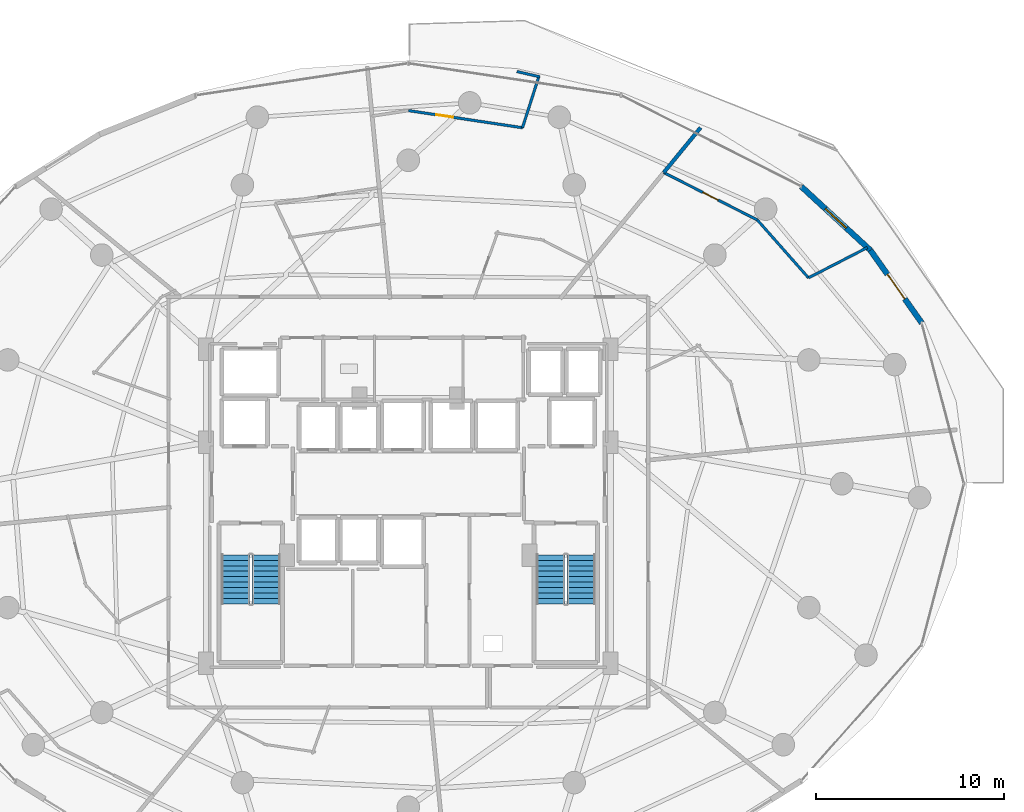
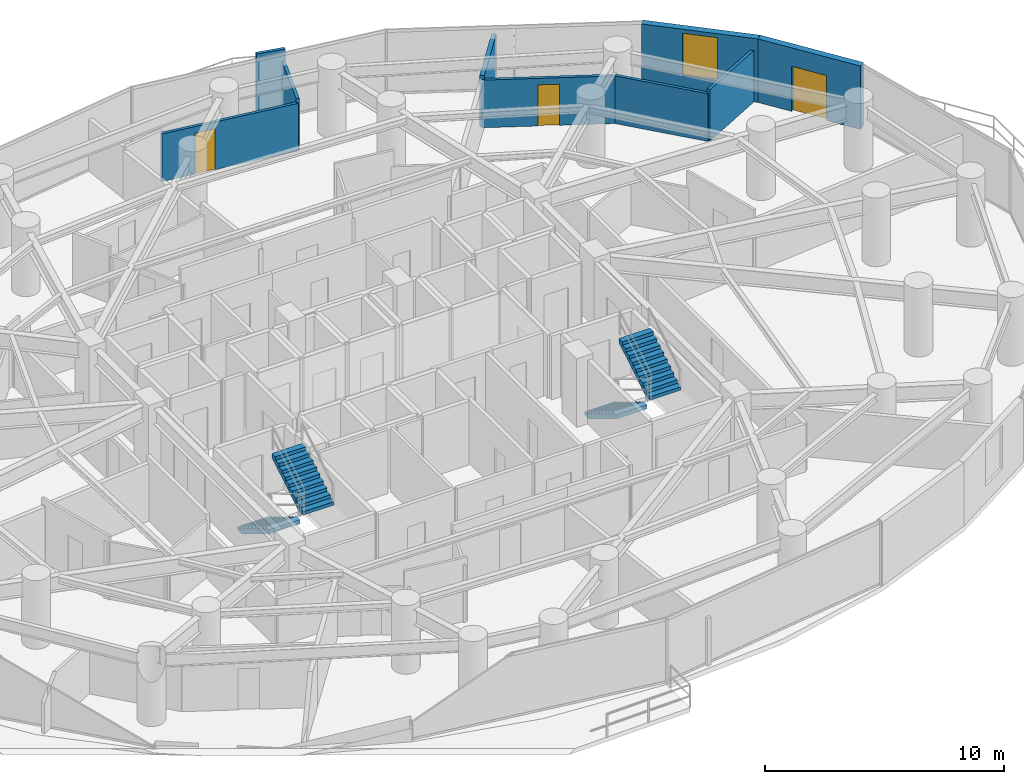
# One storey, part 27 of 30: 9 walls, 4 stair flights, 3 doors, 1 window, 4 openings, 2 elements without a shape of their own.
"""IFC4 building model written with IfcOpenShell, lengths in metres."""

from ifc_helpers import new_model, si_unit, direction, frame, frame_2d, origin, place, context, subcontext, project, spatial, polyline, rectangle, outline, extrude, material, layer, layer_set, type_object, element, fill, aggregate, save


model = new_model("IFC4")

# Units and contexts
model_context = context("Model", 3, precision=1e-05, world=origin(), true_north=direction((0.0, 1.0)))
body_context = subcontext(model_context, "Body", "Model", "MODEL_VIEW")
ifc_project = project(units=[si_unit("LENGTHUNIT", "METRE"), si_unit("AREAUNIT", "SQUARE_METRE"), si_unit("VOLUMEUNIT", "CUBIC_METRE"), si_unit("PLANEANGLEUNIT", "RADIAN"), si_unit("MASSUNIT", "GRAM", prefix="KILO")], contexts=[model_context])

# Site, building, storey
site_placement = place(None, origin())
site = spatial("IfcSite", under=ifc_project, at=site_placement, CompositionType="ELEMENT")
building_placement = place(site_placement, origin())
building = spatial("IfcBuilding", under=site, at=building_placement, Name="Vorneva Point Tower", CompositionType="ELEMENT")
storey_placement = place(building_placement, frame((0.0, 0.0, 55.5)))
storey = spatial("IfcBuildingStorey", under=building, at=storey_placement, Name="L14", CompositionType="ELEMENT", Elevation=55.5)

# Wall, opening, door
ifc_material_1 = material(Name="Precast concrete B50 (C40/50)", Category="concrete")
ifc_layer_1 = layer(ifc_material_1, 0.300048828125)
ifc_layer_set_1 = layer_set([ifc_layer_1], Name="Precast concrete B50 (C40/50)")
wall_type_1 = type_object("IfcWallType", Name="WL-EXT-300", PredefinedType="STANDARD", material=ifc_layer_set_1)
wall_1_placement = place(storey_placement, frame((65.300537109375, 34.552978515625, 0.0), z_axis=(0.0, 0.0, 1.0), x_axis=(-0.577130815624, 0.816651713803, 0.0)))
wall_1 = element("IfcWall", 1, at=wall_1_placement, inside=storey, type_object=wall_type_1, Name="L14 Pale-Metal Facade Spandrel Wall 02.1", PredefinedType="STANDARD", context=body_context, shape_type="SweptSolid", body=[
    extrude(rectangle(XDim=4.7314453125, YDim=0.300048828125, at=frame_2d((2.36572265625, 0.0))), origin(), (0.0, 0.0, 1.0), 3.239990234375),
])
opening_1_placement = place(wall_1_placement, frame((1.56591796875, 0.0, 0.0)))
opening_1 = element("IfcOpeningElement", 2, at=opening_1_placement, cuts=wall_1, Name="Opening BD-01", PredefinedType="OPENING", context=body_context, shape_type="SweptSolid", body=[
    extrude(rectangle(XDim=1.60009765625, YDim=2.300048828125, at=frame_2d((0.800048828125, 1.14990234375))), frame((0.0, 0.1650390625, 0.0), z_axis=(0.0, -1.0, 0.0), x_axis=(1.0, 0.0, 0.0)), (0.0, 0.0, 1.0), 0.329833984375),
])
ifc_material_2 = material(Name="Pale anodised aluminium", Category="aluminium")
door_type_1 = type_object("IfcDoorType", Name="DR-BAL-1600", OperationType="SLIDING_TO_LEFT", PredefinedType="DOOR", material=ifc_material_2)
door_1_placement = place(opening_1_placement, origin())
door_1 = element("IfcDoor", 3, at=door_1_placement, inside=storey, type_object=door_type_1, Name="L14 Balcony Terrace Access Door 02", OperationType="SLIDING_TO_LEFT", OverallHeight=2.300048828125, OverallWidth=1.60009765625, PredefinedType="DOOR", context=body_context, shape_type="SweptSolid", body=[
    extrude(rectangle(XDim=1.60009765625, YDim=2.300048828125, at=frame_2d((0.800048828125, 1.14990234375))), frame((0.0, 0.02490234375, 0.0), z_axis=(0.0, -1.0, 0.0), x_axis=(1.0, 0.0, 0.0)), (0.0, 0.0, 1.0), 0.050048828125),
])
fill(opening_1, door_1)

# Wall, opening, window
wall_2_placement = place(storey_placement, frame((62.56982421875, 38.4169921875, 0.0), z_axis=(0.0, 0.0, 1.0), x_axis=(-0.735342629635, 0.677695519419, 0.0)))
wall_2 = element("IfcWall", 4, at=wall_2_placement, inside=storey, type_object=wall_type_1, Name="L14 Pale-Metal Facade Spandrel Wall 02.2", PredefinedType="STANDARD", context=body_context, shape_type="SweptSolid", body=[
    extrude(rectangle(XDim=4.997314453125, YDim=0.300048828125, at=frame_2d((2.49853515625, 0.0))), origin(), (0.0, 0.0, 1.0), 3.239990234375),
])
opening_2_placement = place(wall_2_placement, frame((1.748779296875, 0.0, 0.85009765625)))
opening_2 = element("IfcOpeningElement", 5, at=opening_2_placement, cuts=wall_2, Name="Opening W-02", PredefinedType="OPENING", context=body_context, shape_type="SweptSolid", body=[
    extrude(rectangle(XDim=1.5, YDim=2.18994140625, at=frame_2d((0.75, 1.094970703125))), frame((0.0, 0.1650390625, 0.0), z_axis=(0.0, -1.0, 0.0), x_axis=(1.0, 0.0, 0.0)), (0.0, 0.0, 1.0), 0.329833984375),
])
ifc_material_3 = material(Name="Double low-e laminated glass IGU", Category="glass")
window_type = type_object("IfcWindowType", Name="WN-HTL-1500", PartitioningType="SINGLE_PANEL", PredefinedType="WINDOW", material=ifc_material_3)
window_placement = place(opening_2_placement, origin())
window = element("IfcWindow", 6, at=window_placement, inside=storey, type_object=window_type, Name="L14 Facade Window 02", OverallHeight=2.18994140625, OverallWidth=1.5, PartitioningType="SINGLE_PANEL", PredefinedType="WINDOW", context=body_context, shape_type="SweptSolid", body=[
    extrude(rectangle(XDim=1.5, YDim=2.18994140625, at=frame_2d((0.75, 1.094970703125))), frame((0.0, 0.030029296875, 0.0), z_axis=(0.0, -1.0, 0.0), x_axis=(1.0, 0.0, 0.0)), (0.0, 0.0, 1.0), 0.06005859375),
])
fill(opening_2, window)

# Wall
ifc_material_4 = material(Name="Fire-rated acoustic gypsum stud partition", Category="gypsum")
ifc_layer_2 = layer(ifc_material_4, 0.139892578125)
ifc_layer_set_2 = layer_set([ifc_layer_2], Name="Fire-rated acoustic gypsum stud partition")
wall_type_2 = type_object("IfcWallType", Name="WL-PART-140", PredefinedType="PARTITIONING", material=ifc_layer_set_2)
wall_3_placement = place(storey_placement, frame((59.279052734375, 36.947998046875, 0.0), z_axis=(0.0, 0.0, 1.0), x_axis=(-0.662159063844, 0.749363312532, 0.0)))
element("IfcWall", 7, at=wall_3_placement, inside=storey, type_object=wall_type_2, Name="L14 Interior Partition 048", PredefinedType="PARTITIONING", context=body_context, shape_type="SweptSolid", body=[
    extrude(rectangle(XDim=4.115478515625, YDim=0.139892578125, at=frame_2d((2.0576171875, 0.0))), origin(), (0.0, 0.0, 1.0), 2.431884765625),
])

# Wall, opening, door
wall_4_placement = place(storey_placement, frame((56.553955078125, 40.031982421875, 0.0), z_axis=(0.0, 0.0, 1.0), x_axis=(-0.892518178955, 0.451011419184, 0.0)))
wall_4 = element("IfcWall", 8, at=wall_4_placement, inside=storey, type_object=wall_type_2, Name="L14 Interior Partition 049", PredefinedType="PARTITIONING", context=body_context, shape_type="SweptSolid", body=[
    extrude(rectangle(XDim=5.573974609375, YDim=0.139892578125, at=frame_2d((2.787109375, 0.0))), origin(), (0.0, 0.0, 1.0), 2.431884765625),
])
opening_3_placement = place(wall_4_placement, frame((2.337158203125, 0.0, 0.0)))
opening_3 = element("IfcOpeningElement", 9, at=opening_3_placement, cuts=wall_4, Name="Opening ID-01", PredefinedType="OPENING", context=body_context, shape_type="SweptSolid", body=[
    extrude(rectangle(XDim=0.89990234375, YDim=2.10009765625, at=frame_2d((0.449951171875, 1.050048828125))), frame((0.0, 0.0849609375, 0.0), z_axis=(0.0, -1.0, 0.0), x_axis=(1.0, 0.0, 0.0)), (0.0, 0.0, 1.0), 0.169677734375),
])
ifc_material_5 = material(Name="Engineered oak fire-rated door leaf", Category="wood")
door_type_2 = type_object("IfcDoorType", Name="DR-ROOM-900", OperationType="NOTDEFINED", PredefinedType="DOOR", material=ifc_material_5)
door_2_placement = place(opening_3_placement, origin())
door_2 = element("IfcDoor", 10, at=door_2_placement, inside=storey, type_object=door_type_2, Name="L14 Door Junior Suite L14-01 / Suite Sitting Study L14-01", OperationType="SINGLE_SWING_LEFT", OverallHeight=2.10009765625, OverallWidth=0.89990234375, PredefinedType="DOOR", context=body_context, shape_type="SweptSolid", body=[
    extrude(rectangle(XDim=0.89990234375, YDim=2.10009765625, at=frame_2d((0.449951171875, 1.050048828125))), frame((0.0, 0.02490234375, 0.0), z_axis=(0.0, -1.0, 0.0), x_axis=(1.0, 0.0, 0.0)), (0.0, 0.0, 1.0), 0.050048828125),
])
fill(opening_3, door_2)

# Walls
wall_5_placement = place(storey_placement, frame((62.409912109375, 38.55908203125, 0.0), z_axis=(0.0, 0.0, 1.0), x_axis=(-0.889180616302, -0.457556369852, 0.0)))
element("IfcWall", 11, at=wall_5_placement, inside=storey, type_object=wall_type_2, Name="L14 Interior Partition 050", PredefinedType="PARTITIONING", context=body_context, shape_type="SweptSolid", body=[
    extrude(rectangle(XDim=3.52099609375, YDim=0.139892578125, at=frame_2d((1.760498046875, 0.0))), origin(), (0.0, 0.0, 1.0), 2.6240234375),
])
wall_6_placement = place(storey_placement, frame((45.0, 47.636962890625, 0.0), z_axis=(0.0, 0.0, 1.0), x_axis=(-0.974635544723, 0.223798022695, 0.0)))
element("IfcWall", 12, at=wall_6_placement, inside=storey, type_object=wall_type_2, Name="L14 Interior Partition 059", PredefinedType="PARTITIONING", context=body_context, shape_type="SweptSolid", body=[
    extrude(rectangle(XDim=1.260009765625, YDim=0.139892578125, at=frame_2d((0.6298828125, 0.0))), origin(), (0.0, 0.0, 1.0), 3.239990234375),
])
wall_7_placement = place(storey_placement, frame((44.94091796875, 47.64990234375, 0.0), z_axis=(0.0, 0.0, 1.0), x_axis=(-0.305331010086, -0.952246278165, 0.0)))
element("IfcWall", 13, at=wall_7_placement, inside=storey, type_object=wall_type_2, Name="L14 Interior Partition 060", PredefinedType="PARTITIONING", context=body_context, shape_type="SweptSolid", body=[
    extrude(rectangle(XDim=2.85546875, YDim=0.139892578125, at=frame_2d((1.427734375, 0.0))), origin(), (0.0, 0.0, 1.0), 2.6240234375),
])

# Wall, opening, door
wall_8_placement = place(storey_placement, frame((44.069091796875, 44.930908203125, 0.0), z_axis=(0.0, 0.0, 1.0), x_axis=(-0.988871191019, 0.148774216759, 0.0)))
wall_8 = element("IfcWall", 14, at=wall_8_placement, inside=storey, type_object=wall_type_2, Name="L14 Interior Partition 061", PredefinedType="PARTITIONING", context=body_context, shape_type="SweptSolid", body=[
    extrude(rectangle(XDim=6.137451171875, YDim=0.139892578125, at=frame_2d((3.06884765625, 0.0))), origin(), (0.0, 0.0, 1.0), 2.431884765625),
])
opening_4_placement = place(wall_8_placement, frame((3.738525390625, 0.0, 0.0)))
opening_4 = element("IfcOpeningElement", 15, at=opening_4_placement, cuts=wall_8, Name="Opening ID-01", PredefinedType="OPENING", context=body_context, shape_type="SweptSolid", body=[
    extrude(rectangle(XDim=0.89990234375, YDim=2.10009765625, at=frame_2d((0.449951171875, 1.050048828125))), frame((0.0, 0.0849609375, 0.0), z_axis=(0.0, -1.0, 0.0), x_axis=(1.0, 0.0, 0.0)), (0.0, 0.0, 1.0), 0.169677734375),
])
door_3_placement = place(opening_4_placement, origin())
door_3 = element("IfcDoor", 16, at=door_3_placement, inside=storey, type_object=door_type_2, Name="L14 Door Executive Suite L14-02 / Suite Sitting Study L14-02", OperationType="SINGLE_SWING_RIGHT", OverallHeight=2.10009765625, OverallWidth=0.89990234375, PredefinedType="DOOR", context=body_context, shape_type="SweptSolid", body=[
    extrude(rectangle(XDim=0.89990234375, YDim=2.10009765625, at=frame_2d((0.449951171875, 1.050048828125))), frame((0.0, 0.02490234375, 0.0), z_axis=(0.0, -1.0, 0.0), x_axis=(1.0, 0.0, 0.0)), (0.0, 0.0, 1.0), 0.050048828125),
])
fill(opening_4, door_3)

# Wall
ifc_material_6 = material(Name="Autoclaved aerated concrete blockwork", Category="masonry")
ifc_layer_3 = layer(ifc_material_6, 0.199951171875)
ifc_layer_set_3 = layer_set([ifc_layer_3], Name="Autoclaved aerated concrete blockwork")
wall_type_3 = type_object("IfcWallType", Name="WL-PART-200", PredefinedType="PARTITIONING", material=ifc_layer_set_3)
wall_9_placement = place(storey_placement, frame((53.5400390625, 44.93505859375, 0.0), z_axis=(0.0, 0.0, 1.0), x_axis=(-0.634432805544, -0.772978017313, 0.0)))
element("IfcWall", 17, at=wall_9_placement, inside=storey, type_object=wall_type_3, Name="L14 Interior Partition 055", PredefinedType="PARTITIONING", context=body_context, shape_type="SweptSolid", body=[
    extrude(rectangle(XDim=3.0908203125, YDim=0.199951171875, at=frame_2d((1.54541015625, 0.0))), origin(), (0.0, 0.0, 1.0), 2.6240234375),
])

# Stair, stair flights
ifc_material_7 = material(Name="Concrete B50 (C40/50)", Category="concrete")
stair_type = type_object("IfcStairType", Name="ST-DOG-1500", PredefinedType="HALF_TURN_STAIR", material=ifc_material_7)
stair_1_placement = place(storey_placement, origin())
stair_1 = element("IfcStair", 18, at=stair_1_placement, inside=storey, type_object=stair_type, Name="L14 ST1", PredefinedType="HALF_TURN_STAIR")
stair_flight_type = type_object("IfcStairFlightType", Name="STF-1500", PredefinedType="STRAIGHT", material=ifc_material_7)
stair_flight_1_placement = place(storey_placement, frame((28.800048828125, 22.219970703125, 0.0), z_axis=(0.0, 0.0, 1.0), x_axis=(0.0, -1.0, 0.0)))
stair_flight_1 = element("IfcStairFlight", 19, at=stair_flight_1_placement, type_object=stair_flight_type, Name="ST1 flight 1", NumberOfRisers=10, NumberOfTreads=9, PredefinedType="STRAIGHT", RiserHeight=0.175, TreadLength=0.29, context=body_context, shape_type="SweptSolid", body=[
    extrude(outline(polyline([(0.0, 0.0), (0.0, 0.175048828125), (0.2900390625, 0.175048828125), (0.2900390625, 0.35009765625), (0.580078125, 0.35009765625), (0.580078125, 0.52490234375), (0.8701171875, 0.52490234375), (0.8701171875, 0.699951171875), (1.159912109375, 0.699951171875), (1.159912109375, 0.875), (1.449951171875, 0.875), (1.449951171875, 1.050048828125), (1.739990234375, 1.050048828125), (1.739990234375, 1.22509765625), (2.030029296875, 1.22509765625), (2.030029296875, 1.39990234375), (2.320068359375, 1.39990234375), (2.320068359375, 1.574951171875), (2.610107421875, 1.574951171875), (2.610107421875, 1.75), (2.610107421875, 1.36474609375), (0.34814453125, 0.0), (0.0, 0.0)])), frame((0.0, 0.75, 0.0), z_axis=(0.0, -1.0, 0.0), x_axis=(1.0, 0.0, 0.0)), (0.0, 0.0, 1.0), 1.5),
])
stair_flight_2_placement = place(storey_placement, frame((30.449951171875, 19.610107421875, 1.75), z_axis=(0.0, 0.0, 1.0), x_axis=(0.0, 1.0, 0.0)))
stair_flight_2 = element("IfcStairFlight", 20, at=stair_flight_2_placement, type_object=stair_flight_type, Name="ST1 flight 2", NumberOfRisers=10, NumberOfTreads=9, PredefinedType="STRAIGHT", RiserHeight=0.175, TreadLength=0.29, context=body_context, shape_type="SweptSolid", body=[
    extrude(outline(polyline([(0.0, 0.0), (0.0, 0.175048828125), (0.2900390625, 0.175048828125), (0.2900390625, 0.35009765625), (0.580078125, 0.35009765625), (0.580078125, 0.52490234375), (0.8701171875, 0.52490234375), (0.8701171875, 0.699951171875), (1.159912109375, 0.699951171875), (1.159912109375, 0.875), (1.449951171875, 0.875), (1.449951171875, 1.050048828125), (1.739990234375, 1.050048828125), (1.739990234375, 1.22509765625), (2.030029296875, 1.22509765625), (2.030029296875, 1.39990234375), (2.320068359375, 1.39990234375), (2.320068359375, 1.574951171875), (2.610107421875, 1.574951171875), (2.610107421875, 1.75), (2.610107421875, 1.36474609375), (0.34814453125, 0.0), (0.0, 0.0)])), frame((0.0, 0.75, 0.0), z_axis=(0.0, -1.0, 0.0), x_axis=(1.0, 0.0, 0.0)), (0.0, 0.0, 1.0), 1.5),
])
aggregate(stair_1, [stair_flight_1, stair_flight_2])

stair_2_placement = place(storey_placement, origin())
stair_2 = element("IfcStair", 21, at=stair_2_placement, inside=storey, type_object=stair_type, Name="L14 ST2", PredefinedType="HALF_TURN_STAIR")
stair_flight_3_placement = place(storey_placement, frame((45.550048828125, 22.219970703125, 0.0), z_axis=(0.0, 0.0, 1.0), x_axis=(0.0, -1.0, 0.0)))
stair_flight_3 = element("IfcStairFlight", 22, at=stair_flight_3_placement, type_object=stair_flight_type, Name="ST2 flight 1", NumberOfRisers=10, NumberOfTreads=9, PredefinedType="STRAIGHT", RiserHeight=0.175, TreadLength=0.29, context=body_context, shape_type="SweptSolid", body=[
    extrude(outline(polyline([(0.0, 0.0), (0.0, 0.175048828125), (0.2900390625, 0.175048828125), (0.2900390625, 0.35009765625), (0.580078125, 0.35009765625), (0.580078125, 0.52490234375), (0.8701171875, 0.52490234375), (0.8701171875, 0.699951171875), (1.159912109375, 0.699951171875), (1.159912109375, 0.875), (1.449951171875, 0.875), (1.449951171875, 1.050048828125), (1.739990234375, 1.050048828125), (1.739990234375, 1.22509765625), (2.030029296875, 1.22509765625), (2.030029296875, 1.39990234375), (2.320068359375, 1.39990234375), (2.320068359375, 1.574951171875), (2.610107421875, 1.574951171875), (2.610107421875, 1.75), (2.610107421875, 1.36474609375), (0.34814453125, 0.0), (0.0, 0.0)])), frame((0.0, 0.75, 0.0), z_axis=(0.0, -1.0, 0.0), x_axis=(1.0, 0.0, 0.0)), (0.0, 0.0, 1.0), 1.5),
])
stair_flight_4_placement = place(storey_placement, frame((47.199951171875, 19.610107421875, 1.75), z_axis=(0.0, 0.0, 1.0), x_axis=(0.0, 1.0, 0.0)))
stair_flight_4 = element("IfcStairFlight", 23, at=stair_flight_4_placement, type_object=stair_flight_type, Name="ST2 flight 2", NumberOfRisers=10, NumberOfTreads=9, PredefinedType="STRAIGHT", RiserHeight=0.175, TreadLength=0.29, context=body_context, shape_type="SweptSolid", body=[
    extrude(outline(polyline([(0.0, 0.0), (0.0, 0.175048828125), (0.2900390625, 0.175048828125), (0.2900390625, 0.35009765625), (0.580078125, 0.35009765625), (0.580078125, 0.52490234375), (0.8701171875, 0.52490234375), (0.8701171875, 0.699951171875), (1.159912109375, 0.699951171875), (1.159912109375, 0.875), (1.449951171875, 0.875), (1.449951171875, 1.050048828125), (1.739990234375, 1.050048828125), (1.739990234375, 1.22509765625), (2.030029296875, 1.22509765625), (2.030029296875, 1.39990234375), (2.320068359375, 1.39990234375), (2.320068359375, 1.574951171875), (2.610107421875, 1.574951171875), (2.610107421875, 1.75), (2.610107421875, 1.36474609375), (0.34814453125, 0.0), (0.0, 0.0)])), frame((0.0, 0.75, 0.0), z_axis=(0.0, -1.0, 0.0), x_axis=(1.0, 0.0, 0.0)), (0.0, 0.0, 1.0), 1.5),
])
aggregate(stair_2, [stair_flight_3, stair_flight_4])

save(model, "model.ifc")
